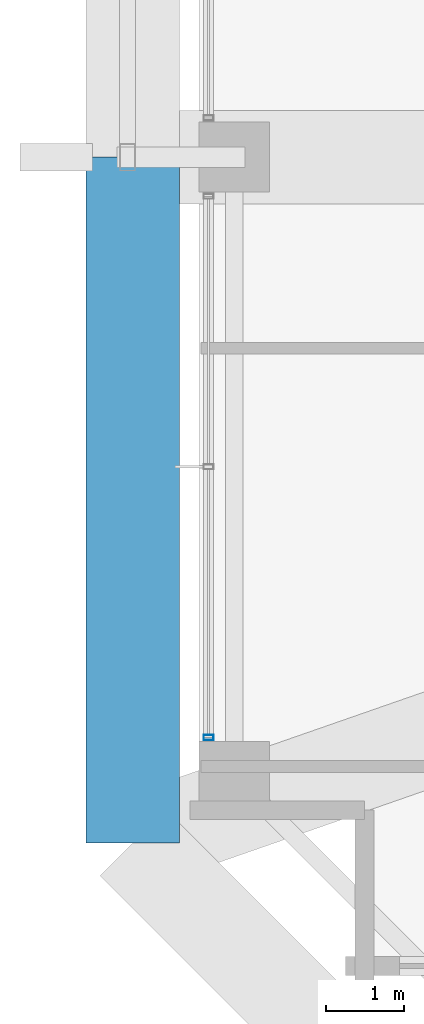
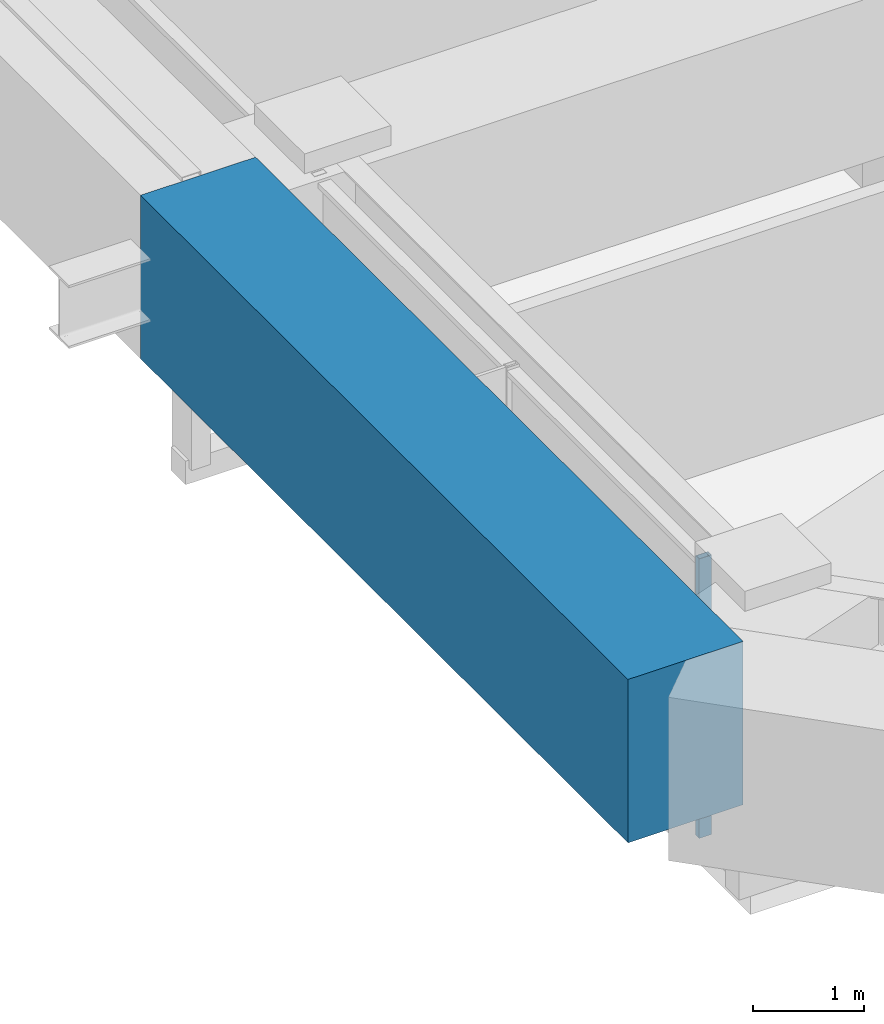
# One storey, part 3 of 40: 1 beam, 1 member, 1 element without a shape of its own.
"""IFC4 building model written with IfcOpenShell, lengths in metres."""

from ifc_helpers import new_model, si_unit, direction, frame, origin, origin_2d, place, context, subcontext, project, spatial, rectangle, hollow_rectangle, extrude, material, material_profile, profile_set, type_object, element, aggregate, save


model = new_model("IFC4")

# Units and contexts
model_context = context("Model", 3, precision=1e-05, world=origin(), true_north=direction((0.0, 1.0)))
body_context = subcontext(model_context, "Body", "Model", "MODEL_VIEW")
ifc_project = project(units=[si_unit("LENGTHUNIT", "METRE"), si_unit("AREAUNIT", "SQUARE_METRE"), si_unit("VOLUMEUNIT", "CUBIC_METRE"), si_unit("PLANEANGLEUNIT", "RADIAN"), si_unit("MASSUNIT", "GRAM", prefix="KILO")], contexts=[model_context])

# Site, building, storey
site_placement = place(None, origin())
site = spatial("IfcSite", under=ifc_project, at=site_placement, CompositionType="ELEMENT")
building_placement = place(site_placement, origin())
building = spatial("IfcBuilding", under=site, at=building_placement, Name="Kolvaren Belvedere", CompositionType="ELEMENT")
storey_placement = place(building_placement, frame((0.0, 0.0, 170.10009765625)))
storey = spatial("IfcBuildingStorey", under=building, at=storey_placement, Name="L49", CompositionType="ELEMENT", Elevation=170.10009765625)

# Beam
ifc_material_1 = material(Name="Concrete C50/60", Category="concrete")
ifc_material_profile_1 = material_profile(ifc_material_1, rectangle(XDim=1.199951171875, YDim=1.800048828125, at=origin_2d()), Name="RC 1200X1800")
ifc_profile_set_1 = profile_set([ifc_material_profile_1], Name="Concrete C50/60")
beam_type = type_object("IfcBeamType", Name="BM-TG-1800", PredefinedType="BEAM", material=ifc_profile_set_1)
beam_placement = place(storey_placement, frame((-19.949951171875, -4.60009765625, 2.179931640625), z_axis=(0.0, -1.0, 0.0), x_axis=(1.0, 0.0, 0.0)))
element("IfcBeam", 1, at=beam_placement, inside=storey, type_object=beam_type, Name="L49 Step Transfer Ring Girder W2-W1", PredefinedType="BEAM", context=body_context, shape_type="SweptSolid", body=[
    extrude(rectangle(XDim=1.199951171875, YDim=1.800048828125, at=origin_2d()), origin(), (0.0, 0.0, 1.0), 8.7998046875),
])

# Curtain wall, member
ifc_material_2 = material(Name="Anodised pale-metal aluminium AA 6063-T6", Category="aluminium")
curtain_wall_type = type_object("IfcCurtainWallType", Name="CW-Z3-WAIST", PredefinedType="NOTDEFINED", material=ifc_material_2)
curtain_wall_placement = place(storey_placement, origin())
curtain_wall = element("IfcCurtainWall", 2, at=curtain_wall_placement, inside=storey, type_object=curtain_wall_type, Name="L49 Unitised Curtain Wall FCW-L49-W-B1", PredefinedType="NOTDEFINED")
ifc_material_3 = material(Name="Anodised pale-metal aluminium AA 6063-T6", Category="aluminium")
ifc_material_profile_2 = material_profile(ifc_material_3, hollow_rectangle(XDim=0.06494140625, YDim=0.1298828125, WallThickness=0.00390625, at=origin_2d()), Name="ALU-MUL-130X65")
ifc_profile_set_2 = profile_set([ifc_material_profile_2], Name="Anodised pale-metal aluminium AA 6063-T6")
member_type = type_object("IfcMemberType", Name="CW-MUL-130", PredefinedType="MULLION", material=ifc_profile_set_2)
member_placement = place(storey_placement, frame((-18.97998046875, -12.047607421875, 0.0), z_axis=(0.0, 0.0, 1.0), x_axis=(0.0, 1.0, 0.0)))
member = element("IfcMember", 3, at=member_placement, type_object=member_type, Name="FCW-L49-W-B1 Unitised Mullion 1", PredefinedType="MULLION", context=body_context, shape_type="SweptSolid", body=[
    extrude(hollow_rectangle(XDim=0.06494140625, YDim=0.1298828125, WallThickness=0.00390625, at=origin_2d()), origin(), (0.0, 0.0, 1.0), 3.079833984375),
])
aggregate(curtain_wall, [member])

save(model, "model.ifc")
